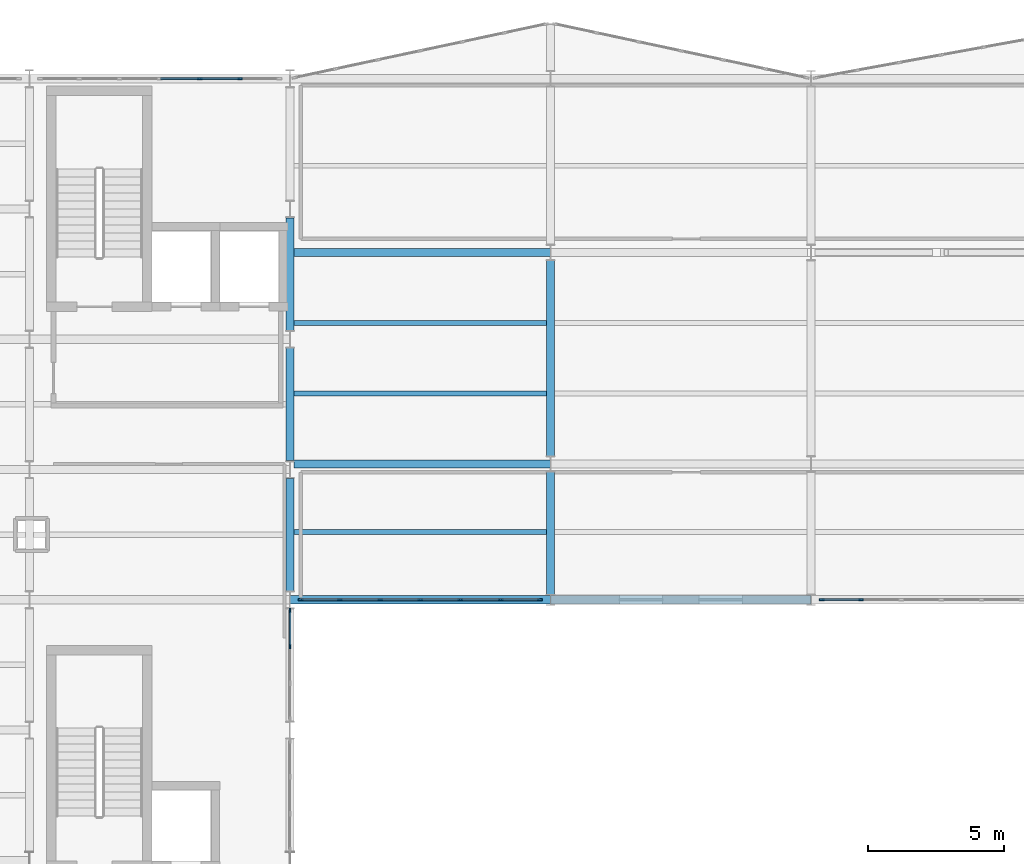
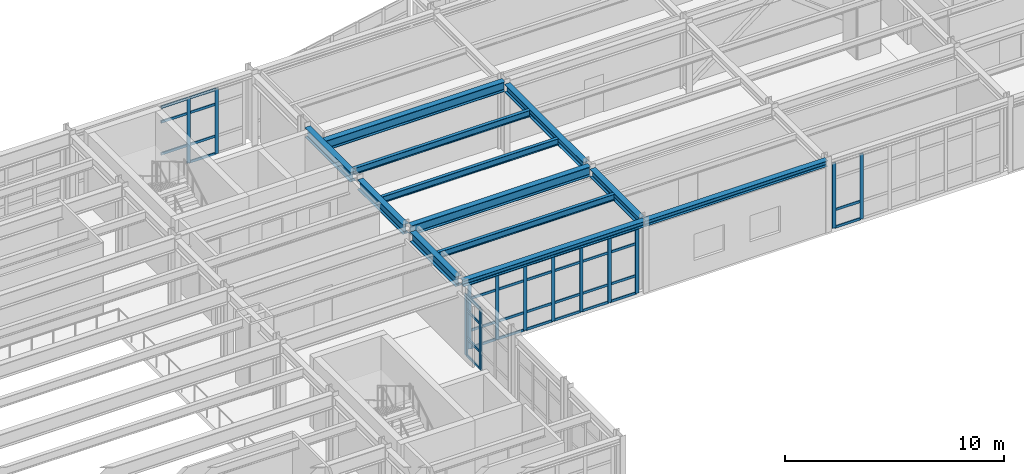
# One storey, part 46 of 99: 50 members, 12 beams, 4 elements without a shape of their own.
"""IFC4 building model written with IfcOpenShell, lengths in metres."""

from ifc_helpers import new_model, si_unit, direction, frame, origin, origin_2d, place, context, subcontext, project, spatial, rectangle, i_section, extrude, material, layer, layer_set, material_profile, profile_set, type_object, element, aggregate, save


model = new_model("IFC4")

# Units and contexts
model_context = context("Model", 3, precision=1e-05, world=origin(), true_north=direction((0.0, 1.0)))
body_context = subcontext(model_context, "Body", "Model", "MODEL_VIEW")
ifc_project = project(units=[si_unit("LENGTHUNIT", "METRE"), si_unit("AREAUNIT", "SQUARE_METRE"), si_unit("VOLUMEUNIT", "CUBIC_METRE"), si_unit("PLANEANGLEUNIT", "RADIAN"), si_unit("MASSUNIT", "GRAM", prefix="KILO")], contexts=[model_context])

# Site, building, storey
site_placement = place(None, origin())
site = spatial("IfcSite", under=ifc_project, at=site_placement, CompositionType="ELEMENT")
building_placement = place(site_placement, origin())
building = spatial("IfcBuilding", under=site, at=building_placement, Name="Nordkorset Police Headquarters", CompositionType="ELEMENT")
storey_placement = place(building_placement, frame((0.0, 0.0, 5.25)))
storey = spatial("IfcBuildingStorey", under=building, at=storey_placement, Name="L01", CompositionType="ELEMENT", Elevation=5.25)

# Beams
ifc_material_1 = material(Name="Steel S355J2", Category="steel")
ifc_material_profile_1 = material_profile(ifc_material_1, i_section(OverallWidth=0.169921875, OverallDepth=0.360107421875, WebThickness=0.008056640625, FlangeThickness=0.0126953125, FilletRadius=0.01806640625, at=origin_2d()), Name="IPE 360")
ifc_profile_set_1 = profile_set([ifc_material_profile_1], Name="Steel S355J2")
beam_type_1 = type_object("IfcBeamType", Name="Beam_IPE_360", PredefinedType="BEAM", material=ifc_profile_set_1)
for number, where, z_axis, x_axis, name in (
    (1, (28.949951171875, 100.10009765625, 3.780029296875), (1.0, 0.0, 0.0), (0.0, 1.0, 0.0), "Composite Floor Beam V2 L01 0-0-1"),
    (2, (28.949951171875, 105.199951171875, 3.780029296875), (1.0, 0.0, 0.0), (0.0, 1.0, 0.0), "Composite Floor Beam V2 L01 0-1-1"),
    (3, (28.949951171875, 107.800048828125, 3.780029296875), (1.0, 0.0, 0.0), (0.0, 1.0, 0.0), "Composite Floor Beam V2 L01 0-1-2"),
):
    element("IfcBeam", number, at=place(storey_placement, frame(where, z_axis=z_axis, x_axis=x_axis)), inside=storey, type_object=beam_type_1, Name=name, PredefinedType="BEAM", context=body_context, shape_type="SweptSolid", body=[
        extrude(i_section(OverallWidth=0.169921875, OverallDepth=0.360107421875, WebThickness=0.008056640625, FlangeThickness=0.0126953125, FilletRadius=0.01806640625, at=origin_2d()), origin(), (0.0, 0.0, 1.0), 9.300048828125),
    ])

# Curtain wall, members
ifc_material_2 = material(Name="Aluminium alloy AW-6060", Category="aluminium")
ifc_layer_1 = layer(ifc_material_2, 0.179931640625, Name="Aluminium alloy AW-6060")
ifc_layer_set_1 = layer_set([ifc_layer_1], Name="Aluminium alloy AW-6060")
curtain_wall_type_1 = type_object("IfcCurtainWallType", Name="CW_Unit_888x363", PredefinedType="USERDEFINED", material=ifc_layer_set_1)
curtain_wall_1_placement = place(storey_placement, origin())
curtain_wall_1 = element("IfcCurtainWall", 4, at=curtain_wall_1_placement, inside=storey, type_object=curtain_wall_type_1, Name="Unitised Curtain Wall L01 V1N-2", ObjectType="UNITISED CURTAIN WALL", PredefinedType="USERDEFINED")
ifc_material_3 = material(Name="Aluminium alloy AW-6060", Category="aluminium")
ifc_material_profile_2 = material_profile(ifc_material_3, rectangle(XDim=0.06494140625, YDim=0.179931640625, at=origin_2d()), Name="ALU MULL 65x180")
ifc_profile_set_2 = profile_set([ifc_material_profile_2], Name="Aluminium alloy AW-6060")
member_type_1 = type_object("IfcMemberType", Name="CW_Mullion_65x180", PredefinedType="MULLION", material=ifc_profile_set_2)
member_1_placement = place(storey_placement, frame((25.47998046875, 116.800048828125, 0.0), z_axis=(0.0, 0.0, 1.0), x_axis=(0.0, 1.0, 0.0)))
member_1 = element("IfcMember", 5, at=member_1_placement, type_object=member_type_1, Name="CW-07 mullion 5", PredefinedType="MULLION", context=body_context, shape_type="SweptSolid", body=[
    extrude(rectangle(XDim=0.06494140625, YDim=0.179931640625, at=origin_2d()), origin(), (0.0, 0.0, 1.0), 3.6298828125),
])
member_2_placement = place(storey_placement, frame((26.9599609375, 116.800048828125, 0.0), z_axis=(0.0, 0.0, 1.0), x_axis=(0.0, 1.0, 0.0)))
member_2 = element("IfcMember", 6, at=member_2_placement, type_object=member_type_1, Name="CW-07 mullion 6", PredefinedType="MULLION", context=body_context, shape_type="SweptSolid", body=[
    extrude(rectangle(XDim=0.06494140625, YDim=0.179931640625, at=origin_2d()), origin(), (0.0, 0.0, 1.0), 3.6298828125),
])

ifc_material_4 = material(Name="Aluminium alloy AW-6060", Category="aluminium")
ifc_layer_2 = layer(ifc_material_4, 0.179931640625, Name="Aluminium alloy AW-6060")
ifc_layer_set_2 = layer_set([ifc_layer_2], Name="Aluminium alloy AW-6060")
curtain_wall_type_2 = type_object("IfcCurtainWallType", Name="CW_Unit_408x340", PredefinedType="USERDEFINED", material=ifc_layer_set_2)
curtain_wall_2_placement = place(storey_placement, origin())
curtain_wall_2 = element("IfcCurtainWall", 7, at=curtain_wall_2_placement, inside=storey, type_object=curtain_wall_type_2, Name="Unitised Curtain Wall L01 V1E-2", ObjectType="UNITISED CURTAIN WALL", PredefinedType="USERDEFINED")
member_3_placement = place(storey_placement, frame((28.800048828125, 95.8798828125, 0.0), z_axis=(0.0, 0.0, 1.0), x_axis=(-1.0, 0.0, 0.0)))
member_3 = element("IfcMember", 8, at=member_3_placement, type_object=member_type_1, Name="CW-75 mullion 3", PredefinedType="MULLION", context=body_context, shape_type="SweptSolid", body=[
    extrude(rectangle(XDim=0.06494140625, YDim=0.179931640625, at=origin_2d()), origin(), (0.0, 0.0, 1.0), 3.39990234375),
])
member_4_placement = place(storey_placement, frame((28.800048828125, 97.20751953125, 0.0), z_axis=(0.0, 0.0, 1.0), x_axis=(-1.0, 0.0, 0.0)))
member_4 = element("IfcMember", 9, at=member_4_placement, type_object=member_type_1, Name="CW-75 mullion 4", PredefinedType="MULLION", context=body_context, shape_type="SweptSolid", body=[
    extrude(rectangle(XDim=0.06494140625, YDim=0.179931640625, at=origin_2d()), origin(), (0.0, 0.0, 1.0), 3.39990234375),
])

curtain_wall_3_placement = place(storey_placement, origin())
curtain_wall_3 = element("IfcCurtainWall", 10, at=curtain_wall_3_placement, inside=storey, type_object=curtain_wall_type_1, Name="Unitised Curtain Wall L01 V2S-0", ObjectType="UNITISED CURTAIN WALL", PredefinedType="USERDEFINED")
member_5_placement = place(storey_placement, frame((29.1923828125, 97.60009765625, 0.0), z_axis=(0.0, 0.0, 1.0), x_axis=(0.0, 1.0, 0.0)))
member_5 = element("IfcMember", 11, at=member_5_placement, type_object=member_type_1, Name="CW-07 mullion 1", PredefinedType="MULLION", context=body_context, shape_type="SweptSolid", body=[
    extrude(rectangle(XDim=0.06494140625, YDim=0.179931640625, at=origin_2d()), origin(), (0.0, 0.0, 1.0), 3.6298828125),
])
member_6_placement = place(storey_placement, frame((30.639892578125, 97.60009765625, 0.0), z_axis=(0.0, 0.0, 1.0), x_axis=(0.0, 1.0, 0.0)))
member_6 = element("IfcMember", 12, at=member_6_placement, type_object=member_type_1, Name="CW-07 mullion 2", PredefinedType="MULLION", context=body_context, shape_type="SweptSolid", body=[
    extrude(rectangle(XDim=0.06494140625, YDim=0.179931640625, at=origin_2d()), origin(), (0.0, 0.0, 1.0), 3.6298828125),
])
member_7_placement = place(storey_placement, frame((32.1201171875, 97.60009765625, 0.0), z_axis=(0.0, 0.0, 1.0), x_axis=(0.0, 1.0, 0.0)))
member_7 = element("IfcMember", 13, at=member_7_placement, type_object=member_type_1, Name="CW-07 mullion 3", PredefinedType="MULLION", context=body_context, shape_type="SweptSolid", body=[
    extrude(rectangle(XDim=0.06494140625, YDim=0.179931640625, at=origin_2d()), origin(), (0.0, 0.0, 1.0), 3.6298828125),
])
member_8_placement = place(storey_placement, frame((33.60009765625, 97.60009765625, 0.0), z_axis=(0.0, 0.0, 1.0), x_axis=(0.0, 1.0, 0.0)))
member_8 = element("IfcMember", 14, at=member_8_placement, type_object=member_type_1, Name="CW-07 mullion 4", PredefinedType="MULLION", context=body_context, shape_type="SweptSolid", body=[
    extrude(rectangle(XDim=0.06494140625, YDim=0.179931640625, at=origin_2d()), origin(), (0.0, 0.0, 1.0), 3.6298828125),
])
member_9_placement = place(storey_placement, frame((35.080078125, 97.60009765625, 0.0), z_axis=(0.0, 0.0, 1.0), x_axis=(0.0, 1.0, 0.0)))
member_9 = element("IfcMember", 15, at=member_9_placement, type_object=member_type_1, Name="CW-07 mullion 5", PredefinedType="MULLION", context=body_context, shape_type="SweptSolid", body=[
    extrude(rectangle(XDim=0.06494140625, YDim=0.179931640625, at=origin_2d()), origin(), (0.0, 0.0, 1.0), 3.6298828125),
])
member_10_placement = place(storey_placement, frame((36.56005859375, 97.60009765625, 0.0), z_axis=(0.0, 0.0, 1.0), x_axis=(0.0, 1.0, 0.0)))
member_10 = element("IfcMember", 16, at=member_10_placement, type_object=member_type_1, Name="CW-07 mullion 6", PredefinedType="MULLION", context=body_context, shape_type="SweptSolid", body=[
    extrude(rectangle(XDim=0.06494140625, YDim=0.179931640625, at=origin_2d()), origin(), (0.0, 0.0, 1.0), 3.6298828125),
])
member_11_placement = place(storey_placement, frame((38.007568359375, 97.60009765625, 0.0), z_axis=(0.0, 0.0, 1.0), x_axis=(0.0, 1.0, 0.0)))
member_11 = element("IfcMember", 17, at=member_11_placement, type_object=member_type_1, Name="CW-07 mullion 7", PredefinedType="MULLION", context=body_context, shape_type="SweptSolid", body=[
    extrude(rectangle(XDim=0.06494140625, YDim=0.179931640625, at=origin_2d()), origin(), (0.0, 0.0, 1.0), 3.6298828125),
])

curtain_wall_4_placement = place(storey_placement, origin())
curtain_wall_4 = element("IfcCurtainWall", 18, at=curtain_wall_4_placement, inside=storey, type_object=curtain_wall_type_1, Name="Unitised Curtain Wall L01 V2S-2", ObjectType="UNITISED CURTAIN WALL", PredefinedType="USERDEFINED")
member_12_placement = place(storey_placement, frame((48.392578125, 97.60009765625, 0.0), z_axis=(0.0, 0.0, 1.0), x_axis=(0.0, 1.0, 0.0)))
member_12 = element("IfcMember", 19, at=member_12_placement, type_object=member_type_1, Name="CW-07 mullion 1", PredefinedType="MULLION", context=body_context, shape_type="SweptSolid", body=[
    extrude(rectangle(XDim=0.06494140625, YDim=0.179931640625, at=origin_2d()), origin(), (0.0, 0.0, 1.0), 3.6298828125),
])
member_13_placement = place(storey_placement, frame((49.840087890625, 97.60009765625, 0.0), z_axis=(0.0, 0.0, 1.0), x_axis=(0.0, 1.0, 0.0)))
member_13 = element("IfcMember", 20, at=member_13_placement, type_object=member_type_1, Name="CW-07 mullion 2", PredefinedType="MULLION", context=body_context, shape_type="SweptSolid", body=[
    extrude(rectangle(XDim=0.06494140625, YDim=0.179931640625, at=origin_2d()), origin(), (0.0, 0.0, 1.0), 3.6298828125),
])

# Member
ifc_material_5 = material(Name="Aluminium alloy AW-6060", Category="aluminium")
ifc_material_profile_3 = material_profile(ifc_material_5, rectangle(XDim=0.06494140625, YDim=0.139892578125, at=origin_2d()), Name="ALU TRAN 65x140")
ifc_profile_set_3 = profile_set([ifc_material_profile_3], Name="Aluminium alloy AW-6060")
member_type_2 = type_object("IfcMemberType", Name="CW_Transom_65x140", PredefinedType="USERDEFINED", material=ifc_profile_set_3)
member_14_placement = place(storey_placement, frame((24.032470703125, 116.800048828125, 1.0), z_axis=(1.0, 0.0, 0.0), x_axis=(0.0, 1.0, 0.0)))
member_14 = element("IfcMember", 21, at=member_14_placement, type_object=member_type_2, Name="CW-07 transom 4.2", ObjectType="TRANSOM", PredefinedType="USERDEFINED", context=body_context, shape_type="SweptSolid", body=[
    extrude(rectangle(XDim=0.06494140625, YDim=0.139892578125, at=origin_2d()), origin(), (0.0, 0.0, 1.0), 1.4150390625),
])

member_15_placement = place(storey_placement, frame((24.032470703125, 116.800048828125, 2.780029296875), z_axis=(1.0, 0.0, 0.0), x_axis=(0.0, 1.0, 0.0)))
member_15 = element("IfcMember", 22, at=member_15_placement, type_object=member_type_2, Name="CW-07 transom 4.3", ObjectType="TRANSOM", PredefinedType="USERDEFINED", context=body_context, shape_type="SweptSolid", body=[
    extrude(rectangle(XDim=0.06494140625, YDim=0.139892578125, at=origin_2d()), origin(), (0.0, 0.0, 1.0), 1.4150390625),
])

member_16_placement = place(storey_placement, frame((24.032470703125, 116.800048828125, 3.597412109375), z_axis=(1.0, 0.0, 0.0), x_axis=(0.0, 1.0, 0.0)))
member_16 = element("IfcMember", 23, at=member_16_placement, type_object=member_type_2, Name="CW-07 transom 4.4", ObjectType="TRANSOM", PredefinedType="USERDEFINED", context=body_context, shape_type="SweptSolid", body=[
    extrude(rectangle(XDim=0.06494140625, YDim=0.139892578125, at=origin_2d()), origin(), (0.0, 0.0, 1.0), 1.4150390625),
])

member_17_placement = place(storey_placement, frame((25.512451171875, 116.800048828125, 0.032470703125), z_axis=(1.0, 0.0, 0.0), x_axis=(0.0, 1.0, 0.0)))
member_17 = element("IfcMember", 24, at=member_17_placement, type_object=member_type_2, Name="CW-07 transom 5.1", ObjectType="TRANSOM", PredefinedType="USERDEFINED", context=body_context, shape_type="SweptSolid", body=[
    extrude(rectangle(XDim=0.06494140625, YDim=0.139892578125, at=origin_2d()), origin(), (0.0, 0.0, 1.0), 1.4150390625),
])

member_18_placement = place(storey_placement, frame((25.512451171875, 116.800048828125, 1.0), z_axis=(1.0, 0.0, 0.0), x_axis=(0.0, 1.0, 0.0)))
member_18 = element("IfcMember", 25, at=member_18_placement, type_object=member_type_2, Name="CW-07 transom 5.2", ObjectType="TRANSOM", PredefinedType="USERDEFINED", context=body_context, shape_type="SweptSolid", body=[
    extrude(rectangle(XDim=0.06494140625, YDim=0.139892578125, at=origin_2d()), origin(), (0.0, 0.0, 1.0), 1.4150390625),
])

member_19_placement = place(storey_placement, frame((25.512451171875, 116.800048828125, 2.780029296875), z_axis=(1.0, 0.0, 0.0), x_axis=(0.0, 1.0, 0.0)))
member_19 = element("IfcMember", 26, at=member_19_placement, type_object=member_type_2, Name="CW-07 transom 5.3", ObjectType="TRANSOM", PredefinedType="USERDEFINED", context=body_context, shape_type="SweptSolid", body=[
    extrude(rectangle(XDim=0.06494140625, YDim=0.139892578125, at=origin_2d()), origin(), (0.0, 0.0, 1.0), 1.4150390625),
])

member_20_placement = place(storey_placement, frame((25.512451171875, 116.800048828125, 3.597412109375), z_axis=(1.0, 0.0, 0.0), x_axis=(0.0, 1.0, 0.0)))
member_20 = element("IfcMember", 27, at=member_20_placement, type_object=member_type_2, Name="CW-07 transom 5.4", ObjectType="TRANSOM", PredefinedType="USERDEFINED", context=body_context, shape_type="SweptSolid", body=[
    extrude(rectangle(XDim=0.06494140625, YDim=0.139892578125, at=origin_2d()), origin(), (0.0, 0.0, 1.0), 1.4150390625),
])

aggregate(curtain_wall_1, [member_1, member_2, member_14, member_15, member_16, member_17, member_18, member_19, member_20])

member_21_placement = place(storey_placement, frame((28.800048828125, 95.91259765625, 0.032470703125), z_axis=(0.0, 1.0, 0.0), x_axis=(-1.0, 0.0, 0.0)))
member_21 = element("IfcMember", 28, at=member_21_placement, type_object=member_type_2, Name="CW-75 transom 3.1", ObjectType="TRANSOM", PredefinedType="USERDEFINED", context=body_context, shape_type="SweptSolid", body=[
    extrude(rectangle(XDim=0.06494140625, YDim=0.139892578125, at=origin_2d()), origin(), (0.0, 0.0, 1.0), 1.262451171875),
])

member_22_placement = place(storey_placement, frame((28.800048828125, 95.91259765625, 1.0), z_axis=(0.0, 1.0, 0.0), x_axis=(-1.0, 0.0, 0.0)))
member_22 = element("IfcMember", 29, at=member_22_placement, type_object=member_type_2, Name="CW-75 transom 3.2", ObjectType="TRANSOM", PredefinedType="USERDEFINED", context=body_context, shape_type="SweptSolid", body=[
    extrude(rectangle(XDim=0.06494140625, YDim=0.139892578125, at=origin_2d()), origin(), (0.0, 0.0, 1.0), 1.262451171875),
])

member_23_placement = place(storey_placement, frame((28.800048828125, 95.91259765625, 2.550048828125), z_axis=(0.0, 1.0, 0.0), x_axis=(-1.0, 0.0, 0.0)))
member_23 = element("IfcMember", 30, at=member_23_placement, type_object=member_type_2, Name="CW-75 transom 3.3", ObjectType="TRANSOM", PredefinedType="USERDEFINED", context=body_context, shape_type="SweptSolid", body=[
    extrude(rectangle(XDim=0.06494140625, YDim=0.139892578125, at=origin_2d()), origin(), (0.0, 0.0, 1.0), 1.262451171875),
])

member_24_placement = place(storey_placement, frame((28.800048828125, 95.91259765625, 3.367431640625), z_axis=(0.0, 1.0, 0.0), x_axis=(-1.0, 0.0, 0.0)))
member_24 = element("IfcMember", 31, at=member_24_placement, type_object=member_type_2, Name="CW-75 transom 3.4", ObjectType="TRANSOM", PredefinedType="USERDEFINED", context=body_context, shape_type="SweptSolid", body=[
    extrude(rectangle(XDim=0.06494140625, YDim=0.139892578125, at=origin_2d()), origin(), (0.0, 0.0, 1.0), 1.262451171875),
])

aggregate(curtain_wall_2, [member_3, member_4, member_21, member_22, member_23, member_24])

member_25_placement = place(storey_placement, frame((29.22509765625, 97.60009765625, 0.032470703125), z_axis=(1.0, 0.0, 0.0), x_axis=(0.0, 1.0, 0.0)))
member_25 = element("IfcMember", 32, at=member_25_placement, type_object=member_type_2, Name="CW-07 transom 1.1", ObjectType="TRANSOM", PredefinedType="USERDEFINED", context=body_context, shape_type="SweptSolid", body=[
    extrude(rectangle(XDim=0.06494140625, YDim=0.139892578125, at=origin_2d()), origin(), (0.0, 0.0, 1.0), 1.38232421875),
])

member_26_placement = place(storey_placement, frame((29.22509765625, 97.60009765625, 1.0), z_axis=(1.0, 0.0, 0.0), x_axis=(0.0, 1.0, 0.0)))
member_26 = element("IfcMember", 33, at=member_26_placement, type_object=member_type_2, Name="CW-07 transom 1.2", ObjectType="TRANSOM", PredefinedType="USERDEFINED", context=body_context, shape_type="SweptSolid", body=[
    extrude(rectangle(XDim=0.06494140625, YDim=0.139892578125, at=origin_2d()), origin(), (0.0, 0.0, 1.0), 1.38232421875),
])

member_27_placement = place(storey_placement, frame((29.22509765625, 97.60009765625, 2.780029296875), z_axis=(1.0, 0.0, 0.0), x_axis=(0.0, 1.0, 0.0)))
member_27 = element("IfcMember", 34, at=member_27_placement, type_object=member_type_2, Name="CW-07 transom 1.3", ObjectType="TRANSOM", PredefinedType="USERDEFINED", context=body_context, shape_type="SweptSolid", body=[
    extrude(rectangle(XDim=0.06494140625, YDim=0.139892578125, at=origin_2d()), origin(), (0.0, 0.0, 1.0), 1.38232421875),
])

member_28_placement = place(storey_placement, frame((29.22509765625, 97.60009765625, 3.597412109375), z_axis=(1.0, 0.0, 0.0), x_axis=(0.0, 1.0, 0.0)))
member_28 = element("IfcMember", 35, at=member_28_placement, type_object=member_type_2, Name="CW-07 transom 1.4", ObjectType="TRANSOM", PredefinedType="USERDEFINED", context=body_context, shape_type="SweptSolid", body=[
    extrude(rectangle(XDim=0.06494140625, YDim=0.139892578125, at=origin_2d()), origin(), (0.0, 0.0, 1.0), 1.38232421875),
])

member_29_placement = place(storey_placement, frame((30.672607421875, 97.60009765625, 0.032470703125), z_axis=(1.0, 0.0, 0.0), x_axis=(0.0, 1.0, 0.0)))
member_29 = element("IfcMember", 36, at=member_29_placement, type_object=member_type_2, Name="CW-07 transom 2.1", ObjectType="TRANSOM", PredefinedType="USERDEFINED", context=body_context, shape_type="SweptSolid", body=[
    extrude(rectangle(XDim=0.06494140625, YDim=0.139892578125, at=origin_2d()), origin(), (0.0, 0.0, 1.0), 1.414794921875),
])

member_30_placement = place(storey_placement, frame((30.672607421875, 97.60009765625, 1.0), z_axis=(1.0, 0.0, 0.0), x_axis=(0.0, 1.0, 0.0)))
member_30 = element("IfcMember", 37, at=member_30_placement, type_object=member_type_2, Name="CW-07 transom 2.2", ObjectType="TRANSOM", PredefinedType="USERDEFINED", context=body_context, shape_type="SweptSolid", body=[
    extrude(rectangle(XDim=0.06494140625, YDim=0.139892578125, at=origin_2d()), origin(), (0.0, 0.0, 1.0), 1.414794921875),
])

member_31_placement = place(storey_placement, frame((30.672607421875, 97.60009765625, 2.780029296875), z_axis=(1.0, 0.0, 0.0), x_axis=(0.0, 1.0, 0.0)))
member_31 = element("IfcMember", 38, at=member_31_placement, type_object=member_type_2, Name="CW-07 transom 2.3", ObjectType="TRANSOM", PredefinedType="USERDEFINED", context=body_context, shape_type="SweptSolid", body=[
    extrude(rectangle(XDim=0.06494140625, YDim=0.139892578125, at=origin_2d()), origin(), (0.0, 0.0, 1.0), 1.414794921875),
])

member_32_placement = place(storey_placement, frame((30.672607421875, 97.60009765625, 3.597412109375), z_axis=(1.0, 0.0, 0.0), x_axis=(0.0, 1.0, 0.0)))
member_32 = element("IfcMember", 39, at=member_32_placement, type_object=member_type_2, Name="CW-07 transom 2.4", ObjectType="TRANSOM", PredefinedType="USERDEFINED", context=body_context, shape_type="SweptSolid", body=[
    extrude(rectangle(XDim=0.06494140625, YDim=0.139892578125, at=origin_2d()), origin(), (0.0, 0.0, 1.0), 1.414794921875),
])

member_33_placement = place(storey_placement, frame((32.152587890625, 97.60009765625, 0.032470703125), z_axis=(1.0, 0.0, 0.0), x_axis=(0.0, 1.0, 0.0)))
member_33 = element("IfcMember", 40, at=member_33_placement, type_object=member_type_2, Name="CW-07 transom 3.1", ObjectType="TRANSOM", PredefinedType="USERDEFINED", context=body_context, shape_type="SweptSolid", body=[
    extrude(rectangle(XDim=0.06494140625, YDim=0.139892578125, at=origin_2d()), origin(), (0.0, 0.0, 1.0), 1.414794921875),
])

member_34_placement = place(storey_placement, frame((32.152587890625, 97.60009765625, 1.0), z_axis=(1.0, 0.0, 0.0), x_axis=(0.0, 1.0, 0.0)))
member_34 = element("IfcMember", 41, at=member_34_placement, type_object=member_type_2, Name="CW-07 transom 3.2", ObjectType="TRANSOM", PredefinedType="USERDEFINED", context=body_context, shape_type="SweptSolid", body=[
    extrude(rectangle(XDim=0.06494140625, YDim=0.139892578125, at=origin_2d()), origin(), (0.0, 0.0, 1.0), 1.414794921875),
])

member_35_placement = place(storey_placement, frame((32.152587890625, 97.60009765625, 2.780029296875), z_axis=(1.0, 0.0, 0.0), x_axis=(0.0, 1.0, 0.0)))
member_35 = element("IfcMember", 42, at=member_35_placement, type_object=member_type_2, Name="CW-07 transom 3.3", ObjectType="TRANSOM", PredefinedType="USERDEFINED", context=body_context, shape_type="SweptSolid", body=[
    extrude(rectangle(XDim=0.06494140625, YDim=0.139892578125, at=origin_2d()), origin(), (0.0, 0.0, 1.0), 1.414794921875),
])

member_36_placement = place(storey_placement, frame((32.152587890625, 97.60009765625, 3.597412109375), z_axis=(1.0, 0.0, 0.0), x_axis=(0.0, 1.0, 0.0)))
member_36 = element("IfcMember", 43, at=member_36_placement, type_object=member_type_2, Name="CW-07 transom 3.4", ObjectType="TRANSOM", PredefinedType="USERDEFINED", context=body_context, shape_type="SweptSolid", body=[
    extrude(rectangle(XDim=0.06494140625, YDim=0.139892578125, at=origin_2d()), origin(), (0.0, 0.0, 1.0), 1.414794921875),
])

member_37_placement = place(storey_placement, frame((33.632568359375, 97.60009765625, 0.032470703125), z_axis=(1.0, 0.0, 0.0), x_axis=(0.0, 1.0, 0.0)))
member_37 = element("IfcMember", 44, at=member_37_placement, type_object=member_type_2, Name="CW-07 transom 4.1", ObjectType="TRANSOM", PredefinedType="USERDEFINED", context=body_context, shape_type="SweptSolid", body=[
    extrude(rectangle(XDim=0.06494140625, YDim=0.139892578125, at=origin_2d()), origin(), (0.0, 0.0, 1.0), 1.4150390625),
])

member_38_placement = place(storey_placement, frame((33.632568359375, 97.60009765625, 1.0), z_axis=(1.0, 0.0, 0.0), x_axis=(0.0, 1.0, 0.0)))
member_38 = element("IfcMember", 45, at=member_38_placement, type_object=member_type_2, Name="CW-07 transom 4.2", ObjectType="TRANSOM", PredefinedType="USERDEFINED", context=body_context, shape_type="SweptSolid", body=[
    extrude(rectangle(XDim=0.06494140625, YDim=0.139892578125, at=origin_2d()), origin(), (0.0, 0.0, 1.0), 1.4150390625),
])

member_39_placement = place(storey_placement, frame((33.632568359375, 97.60009765625, 2.780029296875), z_axis=(1.0, 0.0, 0.0), x_axis=(0.0, 1.0, 0.0)))
member_39 = element("IfcMember", 46, at=member_39_placement, type_object=member_type_2, Name="CW-07 transom 4.3", ObjectType="TRANSOM", PredefinedType="USERDEFINED", context=body_context, shape_type="SweptSolid", body=[
    extrude(rectangle(XDim=0.06494140625, YDim=0.139892578125, at=origin_2d()), origin(), (0.0, 0.0, 1.0), 1.4150390625),
])

member_40_placement = place(storey_placement, frame((33.632568359375, 97.60009765625, 3.597412109375), z_axis=(1.0, 0.0, 0.0), x_axis=(0.0, 1.0, 0.0)))
member_40 = element("IfcMember", 47, at=member_40_placement, type_object=member_type_2, Name="CW-07 transom 4.4", ObjectType="TRANSOM", PredefinedType="USERDEFINED", context=body_context, shape_type="SweptSolid", body=[
    extrude(rectangle(XDim=0.06494140625, YDim=0.139892578125, at=origin_2d()), origin(), (0.0, 0.0, 1.0), 1.4150390625),
])

member_41_placement = place(storey_placement, frame((35.112548828125, 97.60009765625, 0.032470703125), z_axis=(1.0, 0.0, 0.0), x_axis=(0.0, 1.0, 0.0)))
member_41 = element("IfcMember", 48, at=member_41_placement, type_object=member_type_2, Name="CW-07 transom 5.1", ObjectType="TRANSOM", PredefinedType="USERDEFINED", context=body_context, shape_type="SweptSolid", body=[
    extrude(rectangle(XDim=0.06494140625, YDim=0.139892578125, at=origin_2d()), origin(), (0.0, 0.0, 1.0), 1.4150390625),
])

member_42_placement = place(storey_placement, frame((35.112548828125, 97.60009765625, 1.0), z_axis=(1.0, 0.0, 0.0), x_axis=(0.0, 1.0, 0.0)))
member_42 = element("IfcMember", 49, at=member_42_placement, type_object=member_type_2, Name="CW-07 transom 5.2", ObjectType="TRANSOM", PredefinedType="USERDEFINED", context=body_context, shape_type="SweptSolid", body=[
    extrude(rectangle(XDim=0.06494140625, YDim=0.139892578125, at=origin_2d()), origin(), (0.0, 0.0, 1.0), 1.4150390625),
])

member_43_placement = place(storey_placement, frame((35.112548828125, 97.60009765625, 2.780029296875), z_axis=(1.0, 0.0, 0.0), x_axis=(0.0, 1.0, 0.0)))
member_43 = element("IfcMember", 50, at=member_43_placement, type_object=member_type_2, Name="CW-07 transom 5.3", ObjectType="TRANSOM", PredefinedType="USERDEFINED", context=body_context, shape_type="SweptSolid", body=[
    extrude(rectangle(XDim=0.06494140625, YDim=0.139892578125, at=origin_2d()), origin(), (0.0, 0.0, 1.0), 1.4150390625),
])

member_44_placement = place(storey_placement, frame((35.112548828125, 97.60009765625, 3.597412109375), z_axis=(1.0, 0.0, 0.0), x_axis=(0.0, 1.0, 0.0)))
member_44 = element("IfcMember", 51, at=member_44_placement, type_object=member_type_2, Name="CW-07 transom 5.4", ObjectType="TRANSOM", PredefinedType="USERDEFINED", context=body_context, shape_type="SweptSolid", body=[
    extrude(rectangle(XDim=0.06494140625, YDim=0.139892578125, at=origin_2d()), origin(), (0.0, 0.0, 1.0), 1.4150390625),
])

member_45_placement = place(storey_placement, frame((36.592529296875, 97.60009765625, 0.032470703125), z_axis=(1.0, 0.0, 0.0), x_axis=(0.0, 1.0, 0.0)))
member_45 = element("IfcMember", 52, at=member_45_placement, type_object=member_type_2, Name="CW-07 transom 6.1", ObjectType="TRANSOM", PredefinedType="USERDEFINED", context=body_context, shape_type="SweptSolid", body=[
    extrude(rectangle(XDim=0.06494140625, YDim=0.139892578125, at=origin_2d()), origin(), (0.0, 0.0, 1.0), 1.382568359375),
])

member_46_placement = place(storey_placement, frame((36.592529296875, 97.60009765625, 1.0), z_axis=(1.0, 0.0, 0.0), x_axis=(0.0, 1.0, 0.0)))
member_46 = element("IfcMember", 53, at=member_46_placement, type_object=member_type_2, Name="CW-07 transom 6.2", ObjectType="TRANSOM", PredefinedType="USERDEFINED", context=body_context, shape_type="SweptSolid", body=[
    extrude(rectangle(XDim=0.06494140625, YDim=0.139892578125, at=origin_2d()), origin(), (0.0, 0.0, 1.0), 1.382568359375),
])

member_47_placement = place(storey_placement, frame((36.592529296875, 97.60009765625, 2.780029296875), z_axis=(1.0, 0.0, 0.0), x_axis=(0.0, 1.0, 0.0)))
member_47 = element("IfcMember", 54, at=member_47_placement, type_object=member_type_2, Name="CW-07 transom 6.3", ObjectType="TRANSOM", PredefinedType="USERDEFINED", context=body_context, shape_type="SweptSolid", body=[
    extrude(rectangle(XDim=0.06494140625, YDim=0.139892578125, at=origin_2d()), origin(), (0.0, 0.0, 1.0), 1.382568359375),
])

member_48_placement = place(storey_placement, frame((36.592529296875, 97.60009765625, 3.597412109375), z_axis=(1.0, 0.0, 0.0), x_axis=(0.0, 1.0, 0.0)))
member_48 = element("IfcMember", 55, at=member_48_placement, type_object=member_type_2, Name="CW-07 transom 6.4", ObjectType="TRANSOM", PredefinedType="USERDEFINED", context=body_context, shape_type="SweptSolid", body=[
    extrude(rectangle(XDim=0.06494140625, YDim=0.139892578125, at=origin_2d()), origin(), (0.0, 0.0, 1.0), 1.382568359375),
])

aggregate(curtain_wall_3, [member_5, member_6, member_7, member_8, member_9, member_10, member_11, member_25, member_26, member_27, member_28, member_29, member_30, member_31, member_32, member_33, member_34, member_35, member_36, member_37, member_38, member_39, member_40, member_41, member_42, member_43, member_44, member_45, member_46, member_47, member_48])

member_49_placement = place(storey_placement, frame((48.425048828125, 97.60009765625, 0.032470703125), z_axis=(1.0, 0.0, 0.0), x_axis=(0.0, 1.0, 0.0)))
member_49 = element("IfcMember", 56, at=member_49_placement, type_object=member_type_2, Name="CW-07 transom 1.1", ObjectType="TRANSOM", PredefinedType="USERDEFINED", context=body_context, shape_type="SweptSolid", body=[
    extrude(rectangle(XDim=0.06494140625, YDim=0.139892578125, at=origin_2d()), origin(), (0.0, 0.0, 1.0), 1.382568359375),
])

member_50_placement = place(storey_placement, frame((48.425048828125, 97.60009765625, 1.0), z_axis=(1.0, 0.0, 0.0), x_axis=(0.0, 1.0, 0.0)))
member_50 = element("IfcMember", 57, at=member_50_placement, type_object=member_type_2, Name="CW-07 transom 1.2", ObjectType="TRANSOM", PredefinedType="USERDEFINED", context=body_context, shape_type="SweptSolid", body=[
    extrude(rectangle(XDim=0.06494140625, YDim=0.139892578125, at=origin_2d()), origin(), (0.0, 0.0, 1.0), 1.382568359375),
])

aggregate(curtain_wall_4, [member_12, member_13, member_49, member_50])

# Beams
ifc_material_6 = material(Name="Steel S355J2", Category="steel")
ifc_material_profile_4 = material_profile(ifc_material_6, i_section(OverallWidth=0.300048828125, OverallDepth=0.43994140625, WebThickness=0.011474609375, FlangeThickness=0.02099609375, FilletRadius=0.027099609375, at=origin_2d()), Name="HEA 450")
ifc_profile_set_4 = profile_set([ifc_material_profile_4], Name="Steel S355J2")
beam_type_2 = type_object("IfcBeamType", Name="Girder_HEA_450", PredefinedType="USERDEFINED", material=ifc_profile_set_4)
beam_1_placement = place(storey_placement, frame((38.39990234375, 97.800048828125, 3.739990234375), z_axis=(0.0, 1.0, 0.0), x_axis=(-1.0, 0.0, 0.0)))
element("IfcBeam", 58, at=beam_1_placement, inside=storey, type_object=beam_type_2, Name="Girder V2 L01 GY-1-0", ObjectType="GIRDER", PredefinedType="USERDEFINED", context=body_context, shape_type="SweptSolid", body=[
    extrude(i_section(OverallWidth=0.300048828125, OverallDepth=0.43994140625, WebThickness=0.011474609375, FlangeThickness=0.02099609375, FilletRadius=0.027099609375, at=origin_2d()), origin(), (0.0, 0.0, 1.0), 4.5),
])
beam_2_placement = place(storey_placement, frame((38.39990234375, 102.89990234375, 3.739990234375), z_axis=(0.0, 1.0, 0.0), x_axis=(-1.0, 0.0, 0.0)))
element("IfcBeam", 59, at=beam_2_placement, inside=storey, type_object=beam_type_2, Name="Girder V2 L01 GY-1-1", ObjectType="GIRDER", PredefinedType="USERDEFINED", context=body_context, shape_type="SweptSolid", body=[
    extrude(i_section(OverallWidth=0.300048828125, OverallDepth=0.43994140625, WebThickness=0.011474609375, FlangeThickness=0.02099609375, FilletRadius=0.027099609375, at=origin_2d()), origin(), (0.0, 0.0, 1.0), 7.2001953125),
])
ifc_material_7 = material(Name="Steel S355J2", Category="steel")
ifc_material_profile_5 = material_profile(ifc_material_7, i_section(OverallWidth=0.300048828125, OverallDepth=0.5400390625, WebThickness=0.012451171875, FlangeThickness=0.02392578125, FilletRadius=0.027099609375, at=origin_2d()), Name="HEA 550")
ifc_profile_set_5 = profile_set([ifc_material_profile_5], Name="Steel S355J2")
beam_type_3 = type_object("IfcBeamType", Name="Girder_HEA_550", PredefinedType="USERDEFINED", material=ifc_profile_set_5)
for number, where, z_axis, x_axis, name in (
    (60, (28.800048828125, 97.925048828125, 3.68994140625), (0.0, 1.0, 0.0), (-1.0, 0.0, 0.0), "Girder V1 L01 GY-2-3"),
    (61, (28.800048828125, 102.72509765625, 3.68994140625), (0.0, 1.0, 0.0), (-1.0, 0.0, 0.0), "Girder V1 L01 GY-2-4"),
):
    element("IfcBeam", number, at=place(storey_placement, frame(where, z_axis=z_axis, x_axis=x_axis)), inside=storey, type_object=beam_type_3, Name=name, ObjectType="GIRDER", PredefinedType="USERDEFINED", context=body_context, shape_type="SweptSolid", body=[
        extrude(i_section(OverallWidth=0.300048828125, OverallDepth=0.5400390625, WebThickness=0.012451171875, FlangeThickness=0.02392578125, FilletRadius=0.027099609375, at=origin_2d()), origin(), (0.0, 0.0, 1.0), 4.14990234375),
    ])
beam_3_placement = place(storey_placement, frame((28.800048828125, 107.52490234375, 3.68994140625), z_axis=(0.0, 1.0, 0.0), x_axis=(-1.0, 0.0, 0.0)))
element("IfcBeam", 62, at=beam_3_placement, inside=storey, type_object=beam_type_3, Name="Girder V1 L01 GY-2-5", ObjectType="GIRDER", PredefinedType="USERDEFINED", context=body_context, shape_type="SweptSolid", body=[
    extrude(i_section(OverallWidth=0.300048828125, OverallDepth=0.5400390625, WebThickness=0.012451171875, FlangeThickness=0.02392578125, FilletRadius=0.027099609375, at=origin_2d()), origin(), (0.0, 0.0, 1.0), 4.150146484375),
])
for number, where, z_axis, x_axis, name in (
    (63, (28.949951171875, 102.60009765625, 3.68994140625), (1.0, 0.0, 0.0), (0.0, 1.0, 0.0), "Girder V2 L01 GX-1-0"),
    (64, (28.949951171875, 110.39990234375, 3.68994140625), (1.0, 0.0, 0.0), (0.0, 1.0, 0.0), "Girder V2 L01 GX-2-0"),
):
    element("IfcBeam", number, at=place(storey_placement, frame(where, z_axis=z_axis, x_axis=x_axis)), inside=storey, type_object=beam_type_3, Name=name, ObjectType="GIRDER", PredefinedType="USERDEFINED", context=body_context, shape_type="SweptSolid", body=[
        extrude(i_section(OverallWidth=0.300048828125, OverallDepth=0.5400390625, WebThickness=0.012451171875, FlangeThickness=0.02392578125, FilletRadius=0.027099609375, at=origin_2d()), origin(), (0.0, 0.0, 1.0), 9.4423828125),
    ])
ifc_material_8 = material(Name="Steel S355J2", Category="steel")
ifc_material_profile_6 = material_profile(ifc_material_8, i_section(OverallWidth=0.300048828125, OverallDepth=0.31005859375, WebThickness=0.009033203125, FlangeThickness=0.015380859375, FilletRadius=0.027099609375, at=origin_2d()), Name="HEA 320")
ifc_profile_set_6 = profile_set([ifc_material_profile_6], Name="Steel S355J2")
beam_type_4 = type_object("IfcBeamType", Name="Spandrel_HEA_320", PredefinedType="SPANDREL", material=ifc_profile_set_6)
beam_4_placement = place(storey_placement, frame((28.80810546875, 97.60009765625, 3.804931640625), z_axis=(1.0, 0.0, 0.0), x_axis=(0.0, 1.0, 0.0)))
element("IfcBeam", 65, at=beam_4_placement, inside=storey, type_object=beam_type_4, Name="Girder V2 L01 GX-0-0", PredefinedType="SPANDREL", context=body_context, shape_type="SweptSolid", body=[
    extrude(i_section(OverallWidth=0.300048828125, OverallDepth=0.31005859375, WebThickness=0.009033203125, FlangeThickness=0.015380859375, FilletRadius=0.027099609375, at=origin_2d()), origin(), (0.0, 0.0, 1.0), 9.585205078125),
])
beam_5_placement = place(storey_placement, frame((38.40673828125, 97.60009765625, 3.804931640625), z_axis=(1.0, 0.0, 0.0), x_axis=(0.0, 1.0, 0.0)))
element("IfcBeam", 66, at=beam_5_placement, inside=storey, type_object=beam_type_4, Name="Girder V2 L01 GX-0-1", PredefinedType="SPANDREL", context=body_context, shape_type="SweptSolid", body=[
    extrude(i_section(OverallWidth=0.300048828125, OverallDepth=0.31005859375, WebThickness=0.009033203125, FlangeThickness=0.015380859375, FilletRadius=0.027099609375, at=origin_2d()), origin(), (0.0, 0.0, 1.0), 9.586669921875),
])

save(model, "model.ifc")
